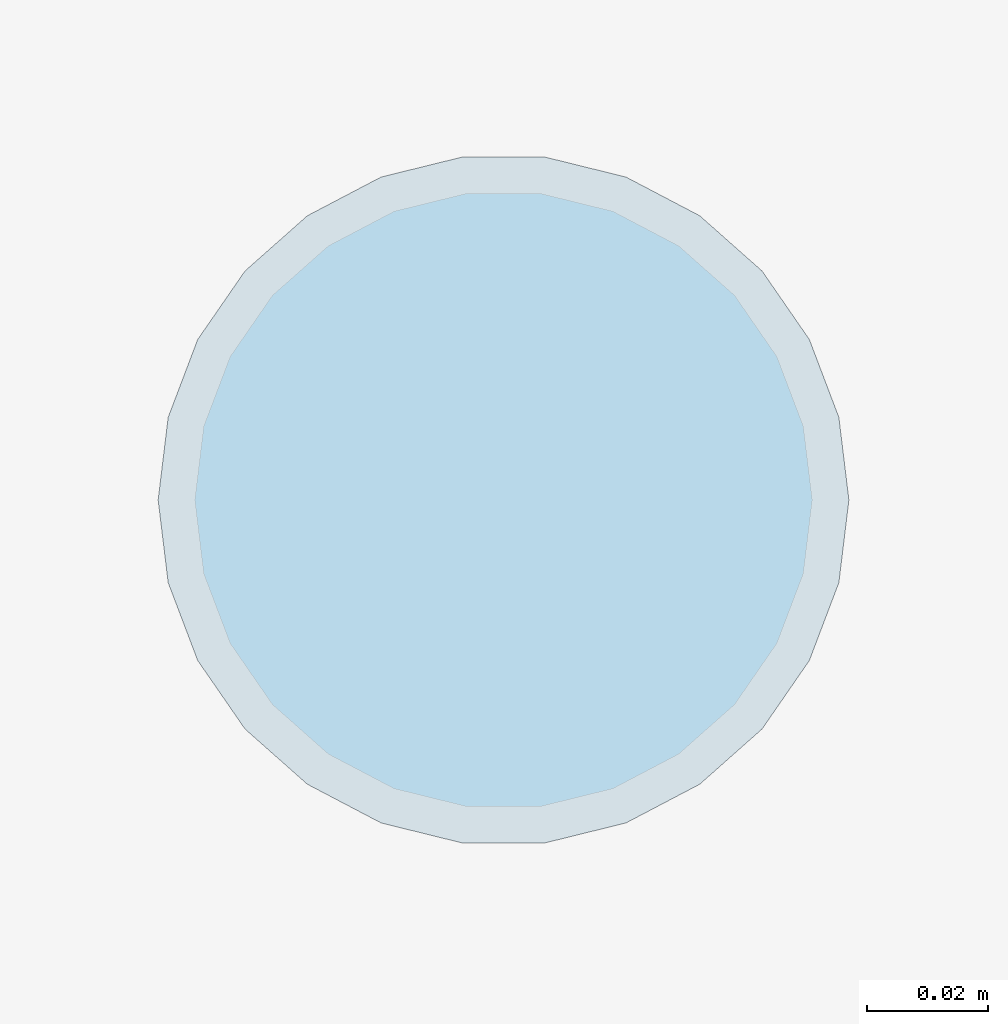
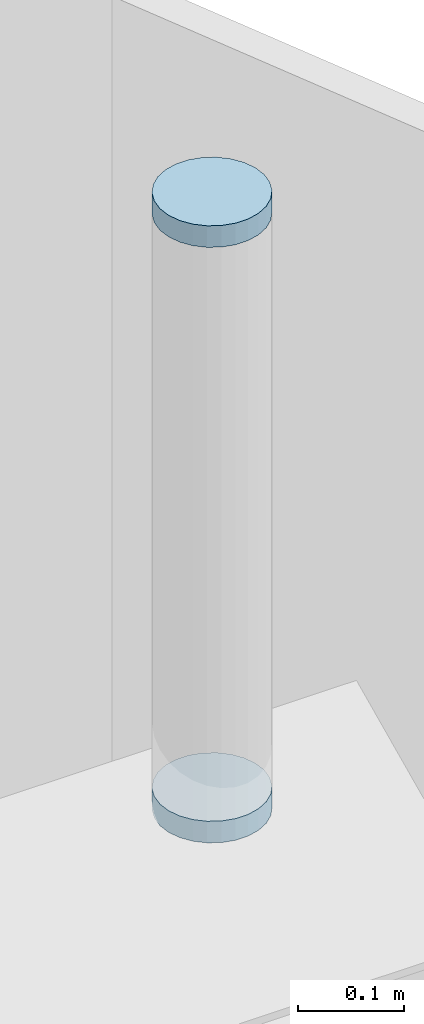
# One storey, part 25 of 31: 2 plates.
"""IFC4 building model written with IfcOpenShell, lengths in metres."""

from ifc_helpers import new_model, si_unit, direction, frame, origin, origin_2d, place, context, subcontext, project, spatial, circle, extrude, material, layer, layer_set, type_object, element, save


model = new_model("IFC4")

# Units and contexts
model_context = context("Model", 3, precision=1e-05, world=origin(), true_north=direction((0.0, 1.0)))
body_context = subcontext(model_context, "Body", "Model", "MODEL_VIEW")
ifc_project = project(units=[si_unit("LENGTHUNIT", "METRE"), si_unit("AREAUNIT", "SQUARE_METRE"), si_unit("VOLUMEUNIT", "CUBIC_METRE"), si_unit("PLANEANGLEUNIT", "RADIAN"), si_unit("MASSUNIT", "GRAM", prefix="KILO")], contexts=[model_context])

# Site, building, storey
site_placement = place(None, origin())
site = spatial("IfcSite", under=ifc_project, at=site_placement, CompositionType="ELEMENT")
building_placement = place(site_placement, origin())
building = spatial("IfcBuilding", under=site, at=building_placement, Name="Tessera Arch", CompositionType="ELEMENT")
storey_placement = place(building_placement, frame((0.0, 0.0, 320.699951171875)))
storey = spatial("IfcBuildingStorey", under=building, at=storey_placement, Name="L77", CompositionType="ELEMENT", Elevation=320.699951171875)

# Plates
ifc_material = material(Name="Steel A572 Gr50", Category="steel")
ifc_layer = layer(ifc_material, 0.02490234375)
ifc_layer_set = layer_set([ifc_layer], Name="End plate CHS114x6")
plate_type = type_object("IfcPlateType", Name="End plate CHS114x6", PredefinedType="SHEET", material=ifc_layer_set)
for number, where, z_axis, x_axis, name in (
    (1, (53.5, 53.647705078125, 23.014892578125), (0.0, 0.0, 1.0), (1.0, 0.0, 0.0), "End plate Aviation obstruction light 2 mast 1"),
    (2, (53.5, 53.647705078125, 23.703125), (0.0, 0.0, 1.0), (1.0, 0.0, 0.0), "End plate Aviation obstruction light 2 mast 2"),
):
    element("IfcPlate", number, at=place(storey_placement, frame(where, z_axis=z_axis, x_axis=x_axis)), inside=storey, type_object=plate_type, Name=name, PredefinedType="SHEET", context=body_context, shape_type="SweptSolid", body=[
        extrude(circle(Radius=0.056884765625, at=origin_2d()), origin(), (0.0, 0.0, 1.0), 0.02490234375),
    ])

save(model, "model.ifc")
